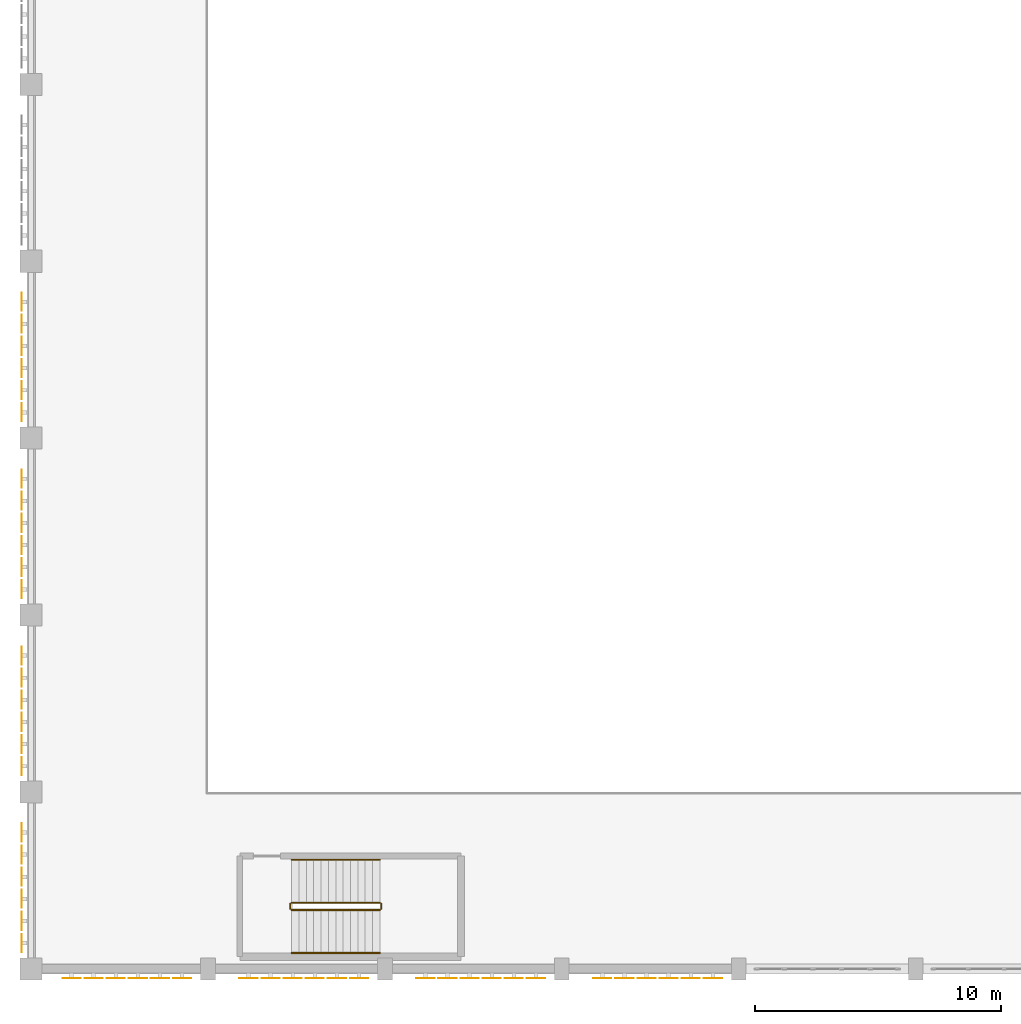
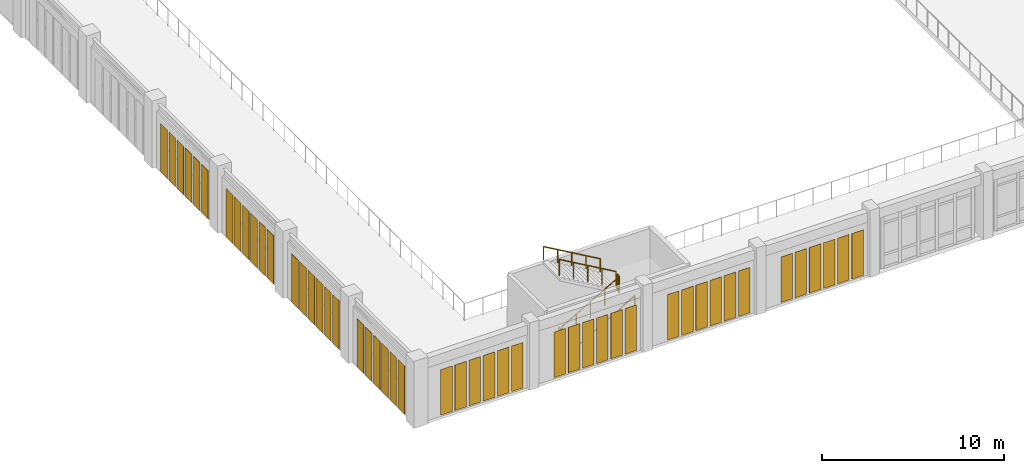
# One storey, part 94 of 106: 48 coverings, 6 railings.
"""IFC4 building model written with IfcOpenShell, lengths in metres."""

from ifc_helpers import new_model, si_unit, direction, frame, origin, origin_2d, place, context, subcontext, project, spatial, rectangle, circle, extrude, material, layer, layer_set, type_object, element, save


model = new_model("IFC4")

# Units and contexts
model_context = context("Model", 3, precision=1e-05, world=origin(), true_north=direction((0.0, 1.0)))
body_context = subcontext(model_context, "Body", "Model", "MODEL_VIEW")
ifc_project = project(units=[si_unit("LENGTHUNIT", "METRE"), si_unit("AREAUNIT", "SQUARE_METRE"), si_unit("VOLUMEUNIT", "CUBIC_METRE"), si_unit("PLANEANGLEUNIT", "RADIAN"), si_unit("MASSUNIT", "GRAM", prefix="KILO")], contexts=[model_context])

# Site, building, storey
site_placement = place(None, origin())
site = spatial("IfcSite", under=ifc_project, at=site_placement, CompositionType="ELEMENT")
building_placement = place(site_placement, origin())
building = spatial("IfcBuilding", under=site, at=building_placement, Name="Carrowvane Square Congress Hotel", CompositionType="ELEMENT")
storey_placement = place(building_placement, frame((0.0, 0.0, 10.5)))
storey = spatial("IfcBuildingStorey", under=building, at=storey_placement, Name="L02", CompositionType="ELEMENT", Elevation=10.5)

# Coverings
ifc_material_1 = material(Name="Champagne-gold anodised aluminium", Category="aluminium")
ifc_layer_1 = layer(ifc_material_1, 0.011962890625)
ifc_layer_set_1 = layer_set([ifc_layer_1], Name="Champagne-gold anodised aluminium")
covering_type = type_object("IfcCoveringType", Name="COV-SCR-GOLD12", PredefinedType="CLADDING", material=ifc_layer_set_1)
for number, where, z_axis, x_axis, name in (
    (1, (11.218994140625, 6.449951171875, 0.25), (0.0, 0.0, 1.0), (0.0, 1.0, 0.0), "Champagne-gold perforated screen panel 43"),
    (2, (11.218994140625, 7.35009765625, 0.25), (0.0, 0.0, 1.0), (0.0, 1.0, 0.0), "Champagne-gold perforated screen panel 44"),
    (3, (11.218994140625, 8.25, 0.25), (0.0, 0.0, 1.0), (0.0, 1.0, 0.0), "Champagne-gold perforated screen panel 45"),
    (4, (11.218994140625, 9.14990234375, 0.25), (0.0, 0.0, 1.0), (0.0, 1.0, 0.0), "Champagne-gold perforated screen panel 46"),
    (5, (11.218994140625, 10.050048828125, 0.25), (0.0, 0.0, 1.0), (0.0, 1.0, 0.0), "Champagne-gold perforated screen panel 47"),
    (6, (11.218994140625, 10.949951171875, 0.25), (0.0, 0.0, 1.0), (0.0, 1.0, 0.0), "Champagne-gold perforated screen panel 48"),
    (7, (11.218994140625, 13.64990234375, 0.25), (0.0, 0.0, 1.0), (0.0, 1.0, 0.0), "Champagne-gold perforated screen panel 49"),
    (8, (11.218994140625, 14.550048828125, 0.25), (0.0, 0.0, 1.0), (0.0, 1.0, 0.0), "Champagne-gold perforated screen panel 50"),
    (9, (11.218994140625, 15.449951171875, 0.25), (0.0, 0.0, 1.0), (0.0, 1.0, 0.0), "Champagne-gold perforated screen panel 51"),
    (10, (11.218994140625, 16.35009765625, 0.25), (0.0, 0.0, 1.0), (0.0, 1.0, 0.0), "Champagne-gold perforated screen panel 52"),
    (11, (11.218994140625, 17.25, 0.25), (0.0, 0.0, 1.0), (0.0, 1.0, 0.0), "Champagne-gold perforated screen panel 53"),
    (12, (11.218994140625, 18.14990234375, 0.25), (0.0, 0.0, 1.0), (0.0, 1.0, 0.0), "Champagne-gold perforated screen panel 54"),
    (13, (11.218994140625, 20.85009765625, 0.25), (0.0, 0.0, 1.0), (0.0, 1.0, 0.0), "Champagne-gold perforated screen panel 55"),
    (14, (11.218994140625, 21.75, 0.25), (0.0, 0.0, 1.0), (0.0, 1.0, 0.0), "Champagne-gold perforated screen panel 56"),
    (15, (11.218994140625, 22.64990234375, 0.25), (0.0, 0.0, 1.0), (0.0, 1.0, 0.0), "Champagne-gold perforated screen panel 57"),
    (16, (11.218994140625, 23.550048828125, 0.25), (0.0, 0.0, 1.0), (0.0, 1.0, 0.0), "Champagne-gold perforated screen panel 58"),
    (17, (11.218994140625, 24.449951171875, 0.25), (0.0, 0.0, 1.0), (0.0, 1.0, 0.0), "Champagne-gold perforated screen panel 59"),
    (18, (11.218994140625, 25.35009765625, 0.25), (0.0, 0.0, 1.0), (0.0, 1.0, 0.0), "Champagne-gold perforated screen panel 60"),
    (19, (11.218994140625, 28.050048828125, 0.25), (0.0, 0.0, 1.0), (0.0, 1.0, 0.0), "Champagne-gold perforated screen panel 61"),
    (20, (11.218994140625, 28.949951171875, 0.25), (0.0, 0.0, 1.0), (0.0, 1.0, 0.0), "Champagne-gold perforated screen panel 62"),
    (21, (11.218994140625, 29.85009765625, 0.25), (0.0, 0.0, 1.0), (0.0, 1.0, 0.0), "Champagne-gold perforated screen panel 63"),
    (22, (11.218994140625, 30.75, 0.25), (0.0, 0.0, 1.0), (0.0, 1.0, 0.0), "Champagne-gold perforated screen panel 64"),
    (23, (11.218994140625, 31.64990234375, 0.25), (0.0, 0.0, 1.0), (0.0, 1.0, 0.0), "Champagne-gold perforated screen panel 65"),
    (24, (11.218994140625, 32.550048828125, 0.25), (0.0, 0.0, 1.0), (0.0, 1.0, 0.0), "Champagne-gold perforated screen panel 66"),
):
    element("IfcCovering", number, at=place(storey_placement, frame(where, z_axis=z_axis, x_axis=x_axis)), inside=storey, type_object=covering_type, Name=name, PredefinedType="CLADDING", context=body_context, shape_type="SweptSolid", body=[
        extrude(rectangle(XDim=0.738037109375, YDim=0.011962890625, at=origin_2d()), origin(), (0.0, 0.0, 1.0), 3.2451171875),
    ])
for number, where, z_axis, x_axis, name in (
    (25, (39.35009765625, 5.01904296875, 0.25), (0.0, 0.0, 1.0), (-1.0, 0.0, 0.0), "Champagne-gold perforated screen panel 178"),
    (26, (38.449951171875, 5.01904296875, 0.25), (0.0, 0.0, 1.0), (-1.0, 0.0, 0.0), "Champagne-gold perforated screen panel 179"),
    (27, (37.550048828125, 5.01904296875, 0.25), (0.0, 0.0, 1.0), (-1.0, 0.0, 0.0), "Champagne-gold perforated screen panel 180"),
    (28, (36.64990234375, 5.01904296875, 0.25), (0.0, 0.0, 1.0), (-1.0, 0.0, 0.0), "Champagne-gold perforated screen panel 181"),
    (29, (35.75, 5.01904296875, 0.25), (0.0, 0.0, 1.0), (-1.0, 0.0, 0.0), "Champagne-gold perforated screen panel 182"),
    (30, (34.85009765625, 5.01904296875, 0.25), (0.0, 0.0, 1.0), (-1.0, 0.0, 0.0), "Champagne-gold perforated screen panel 183"),
    (31, (32.14990234375, 5.01904296875, 0.25), (0.0, 0.0, 1.0), (-1.0, 0.0, 0.0), "Champagne-gold perforated screen panel 184"),
    (32, (31.25, 5.01904296875, 0.25), (0.0, 0.0, 1.0), (-1.0, 0.0, 0.0), "Champagne-gold perforated screen panel 185"),
    (33, (30.35009765625, 5.01904296875, 0.25), (0.0, 0.0, 1.0), (-1.0, 0.0, 0.0), "Champagne-gold perforated screen panel 186"),
    (34, (29.449951171875, 5.01904296875, 0.25), (0.0, 0.0, 1.0), (-1.0, 0.0, 0.0), "Champagne-gold perforated screen panel 187"),
    (35, (28.550048828125, 5.01904296875, 0.25), (0.0, 0.0, 1.0), (-1.0, 0.0, 0.0), "Champagne-gold perforated screen panel 188"),
    (36, (27.64990234375, 5.01904296875, 0.25), (0.0, 0.0, 1.0), (-1.0, 0.0, 0.0), "Champagne-gold perforated screen panel 189"),
    (37, (24.949951171875, 5.01904296875, 0.25), (0.0, 0.0, 1.0), (-1.0, 0.0, 0.0), "Champagne-gold perforated screen panel 190"),
    (38, (24.050048828125, 5.01904296875, 0.25), (0.0, 0.0, 1.0), (-1.0, 0.0, 0.0), "Champagne-gold perforated screen panel 191"),
    (39, (23.14990234375, 5.01904296875, 0.25), (0.0, 0.0, 1.0), (-1.0, 0.0, 0.0), "Champagne-gold perforated screen panel 192"),
    (40, (22.25, 5.01904296875, 0.25), (0.0, 0.0, 1.0), (-1.0, 0.0, 0.0), "Champagne-gold perforated screen panel 193"),
    (41, (21.35009765625, 5.01904296875, 0.25), (0.0, 0.0, 1.0), (-1.0, 0.0, 0.0), "Champagne-gold perforated screen panel 194"),
    (42, (20.449951171875, 5.01904296875, 0.25), (0.0, 0.0, 1.0), (-1.0, 0.0, 0.0), "Champagne-gold perforated screen panel 195"),
    (43, (17.75, 5.01904296875, 0.25), (0.0, 0.0, 1.0), (-1.0, 0.0, 0.0), "Champagne-gold perforated screen panel 196"),
    (44, (16.85009765625, 5.01904296875, 0.25), (0.0, 0.0, 1.0), (-1.0, 0.0, 0.0), "Champagne-gold perforated screen panel 197"),
    (45, (15.949951171875, 5.01904296875, 0.25), (0.0, 0.0, 1.0), (-1.0, 0.0, 0.0), "Champagne-gold perforated screen panel 198"),
    (46, (15.050048828125, 5.01904296875, 0.25), (0.0, 0.0, 1.0), (-1.0, 0.0, 0.0), "Champagne-gold perforated screen panel 199"),
    (47, (14.14990234375, 5.01904296875, 0.25), (0.0, 0.0, 1.0), (-1.0, 0.0, 0.0), "Champagne-gold perforated screen panel 200"),
    (48, (13.25, 5.01904296875, 0.25), (0.0, 0.0, 1.0), (-1.0, 0.0, 0.0), "Champagne-gold perforated screen panel 201"),
):
    element("IfcCovering", number, at=place(storey_placement, frame(where, z_axis=z_axis, x_axis=x_axis)), inside=storey, type_object=covering_type, Name=name, PredefinedType="CLADDING", context=body_context, shape_type="SweptSolid", body=[
        extrude(rectangle(XDim=0.738037109375, YDim=0.011962890625, at=origin_2d()), origin(), (0.0, 0.0, 1.0), 3.054931640625),
    ])

# Railings
ifc_material_2 = material(Name="Stainless steel 316", Category="steel")
ifc_layer_2 = layer(ifc_material_2, 0.048095703125)
ifc_layer_set_2 = layer_set([ifc_layer_2], Name="Stainless steel 316")
railing_type_1 = type_object("IfcRailingType", Name="RLG-HR-900", PredefinedType="HANDRAIL", material=ifc_layer_set_2)
railing_1_placement = place(storey_placement, frame((22.199951171875, 6.050048828125, 0.173095703125)))
element("IfcRailing", 49, at=railing_1_placement, inside=storey, type_object=railing_type_1, Name="L02 ST9 stair handrail 1", PredefinedType="HANDRAIL", context=body_context, shape_type="SweptSolid", body=[
    extrude(circle(Radius=0.02392578125, at=origin_2d()), frame((0.0, 0.0, 0.8759765625), z_axis=(0.866193409371, 0.0, 0.499708892819), x_axis=(0.0, 1.0, 0.0)), (0.0, 0.0, 1.0), 4.15625),
    extrude(circle(Radius=0.02099609375, at=origin_2d()), origin(), (0.0, 0.0, 1.0), 0.851806640625),
    extrude(circle(Radius=0.02099609375, at=origin_2d()), frame((0.89990234375, 0.0, 0.519287109375)), (0.0, 0.0, 1.0), 0.851806640625),
    extrude(circle(Radius=0.02099609375, at=origin_2d()), frame((1.800048828125, 0.0, 1.03857421875)), (0.0, 0.0, 1.0), 0.851806640625),
    extrude(circle(Radius=0.02099609375, at=origin_2d()), frame((2.7001953125, 0.0, 1.5576171875)), (0.0, 0.0, 1.0), 0.851806640625),
    extrude(circle(Radius=0.02099609375, at=origin_2d()), frame((3.60009765625, 0.0, 2.076904296875)), (0.0, 0.0, 1.0), 0.851806640625),
])
railing_2_placement = place(storey_placement, frame((25.800048828125, 9.85009765625, 2.423095703125)))
element("IfcRailing", 50, at=railing_2_placement, inside=storey, type_object=railing_type_1, Name="L02 ST9 stair handrail 2", PredefinedType="HANDRAIL", context=body_context, shape_type="SweptSolid", body=[
    extrude(circle(Radius=0.02392578125, at=origin_2d()), frame((0.0, 0.0, 0.8759765625), z_axis=(-0.866193409371, 0.0, 0.499708892819), x_axis=(0.0, -1.0, 0.0)), (0.0, 0.0, 1.0), 4.15625),
    extrude(circle(Radius=0.02099609375, at=origin_2d()), origin(), (0.0, 0.0, 1.0), 0.851806640625),
    extrude(circle(Radius=0.02099609375, at=origin_2d()), frame((-0.89990234375, 0.0, 0.519287109375)), (0.0, 0.0, 1.0), 0.851806640625),
    extrude(circle(Radius=0.02099609375, at=origin_2d()), frame((-1.800048828125, 0.0, 1.03857421875)), (0.0, 0.0, 1.0), 0.851806640625),
    extrude(circle(Radius=0.02099609375, at=origin_2d()), frame((-2.7001953125, 0.0, 1.5576171875)), (0.0, 0.0, 1.0), 0.851806640625),
    extrude(circle(Radius=0.02099609375, at=origin_2d()), frame((-3.60009765625, 0.0, 2.076904296875)), (0.0, 0.0, 1.0), 0.851806640625),
])
ifc_material_3 = material(Name="Galvanised steel", Category="steel")
ifc_layer_3 = layer(ifc_material_3, 0.048095703125)
ifc_layer_set_3 = layer_set([ifc_layer_3], Name="Galvanised steel")
railing_type_2 = type_object("IfcRailingType", Name="RLG-STG-1100", PredefinedType="GUARDRAIL", material=ifc_layer_set_3)
railing_3_placement = place(storey_placement, frame((22.199951171875, 7.800048828125, 0.173095703125)))
element("IfcRailing", 51, at=railing_3_placement, inside=storey, type_object=railing_type_2, Name="L02 ST9 stair guard 1", PredefinedType="GUARDRAIL", context=body_context, shape_type="SweptSolid", body=[
    extrude(circle(Radius=0.02392578125, at=origin_2d()), frame((0.0, 0.0, 1.076171875), z_axis=(0.866193409371, 0.0, 0.499708892819), x_axis=(0.0, 1.0, 0.0)), (0.0, 0.0, 1.0), 4.15625),
    extrude(circle(Radius=0.02099609375, at=origin_2d()), origin(), (0.0, 0.0, 1.0), 1.052001953125),
    extrude(circle(Radius=0.02099609375, at=origin_2d()), frame((0.89990234375, 0.0, 0.519287109375)), (0.0, 0.0, 1.0), 1.052001953125),
    extrude(circle(Radius=0.02099609375, at=origin_2d()), frame((1.800048828125, 0.0, 1.03857421875)), (0.0, 0.0, 1.0), 1.052001953125),
    extrude(circle(Radius=0.02099609375, at=origin_2d()), frame((2.7001953125, 0.0, 1.5576171875)), (0.0, 0.0, 1.0), 1.052001953125),
    extrude(circle(Radius=0.02099609375, at=origin_2d()), frame((3.60009765625, 0.0, 2.076904296875)), (0.0, 0.0, 1.0), 1.052001953125),
])
railing_4_placement = place(storey_placement, frame((25.85009765625, 7.85009765625, 2.25)))
element("IfcRailing", 52, at=railing_4_placement, inside=storey, type_object=railing_type_2, Name="L02 ST9 stair guard 2", PredefinedType="GUARDRAIL", context=body_context, shape_type="SweptSolid", body=[
    extrude(circle(Radius=0.02392578125, at=origin_2d()), frame((0.0, 0.0, 1.076171875), z_axis=(0.0, 1.0, 0.0), x_axis=(-1.0, 0.0, 0.0)), (0.0, 0.0, 1.0), 0.199951171875),
    extrude(circle(Radius=0.02099609375, at=origin_2d()), origin(), (0.0, 0.0, 1.0), 1.052001953125),
    extrude(circle(Radius=0.02099609375, at=origin_2d()), frame((0.0, 0.199951171875, 0.0)), (0.0, 0.0, 1.0), 1.052001953125),
])
railing_5_placement = place(storey_placement, frame((25.800048828125, 8.10009765625, 2.423095703125)))
element("IfcRailing", 53, at=railing_5_placement, inside=storey, type_object=railing_type_2, Name="L02 ST9 stair guard 3", PredefinedType="GUARDRAIL", context=body_context, shape_type="SweptSolid", body=[
    extrude(circle(Radius=0.02392578125, at=origin_2d()), frame((0.0, 0.0, 1.076171875), z_axis=(-0.866193409371, 0.0, 0.499708892819), x_axis=(0.0, -1.0, 0.0)), (0.0, 0.0, 1.0), 4.15625),
    extrude(circle(Radius=0.02099609375, at=origin_2d()), origin(), (0.0, 0.0, 1.0), 1.052001953125),
    extrude(circle(Radius=0.02099609375, at=origin_2d()), frame((-0.89990234375, 0.0, 0.519287109375)), (0.0, 0.0, 1.0), 1.052001953125),
    extrude(circle(Radius=0.02099609375, at=origin_2d()), frame((-1.800048828125, 0.0, 1.03857421875)), (0.0, 0.0, 1.0), 1.052001953125),
    extrude(circle(Radius=0.02099609375, at=origin_2d()), frame((-2.7001953125, 0.0, 1.5576171875)), (0.0, 0.0, 1.0), 1.052001953125),
    extrude(circle(Radius=0.02099609375, at=origin_2d()), frame((-3.60009765625, 0.0, 2.076904296875)), (0.0, 0.0, 1.0), 1.052001953125),
])
railing_6_placement = place(storey_placement, frame((22.14990234375, 7.85009765625, 0.0)))
element("IfcRailing", 54, at=railing_6_placement, inside=storey, type_object=railing_type_2, Name="L02 ST9 stair guard 4", PredefinedType="GUARDRAIL", context=body_context, shape_type="SweptSolid", body=[
    extrude(circle(Radius=0.02392578125, at=origin_2d()), frame((0.0, 0.0, 1.076171875), z_axis=(0.0, 1.0, 0.0), x_axis=(-1.0, 0.0, 0.0)), (0.0, 0.0, 1.0), 0.199951171875),
    extrude(circle(Radius=0.02099609375, at=origin_2d()), origin(), (0.0, 0.0, 1.0), 1.052001953125),
    extrude(circle(Radius=0.02099609375, at=origin_2d()), frame((0.0, 0.199951171875, 0.0)), (0.0, 0.0, 1.0), 1.052001953125),
])

save(model, "model.ifc")
